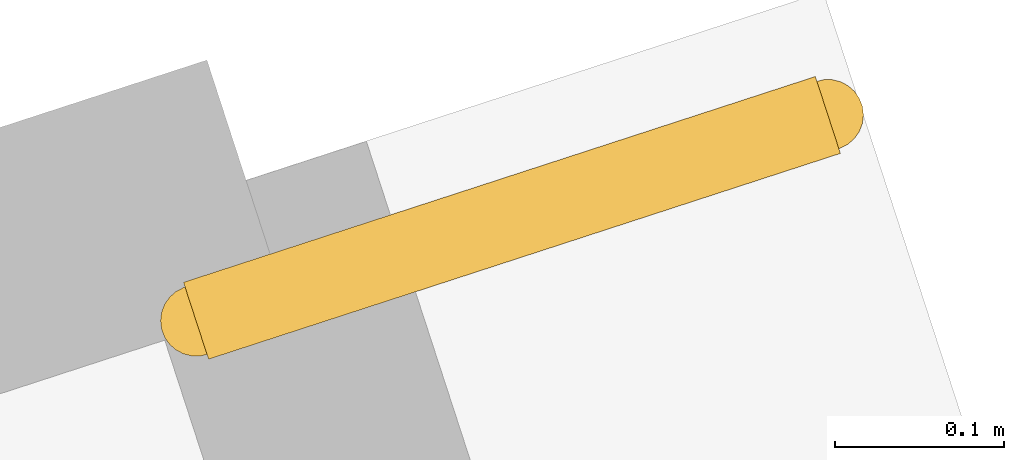
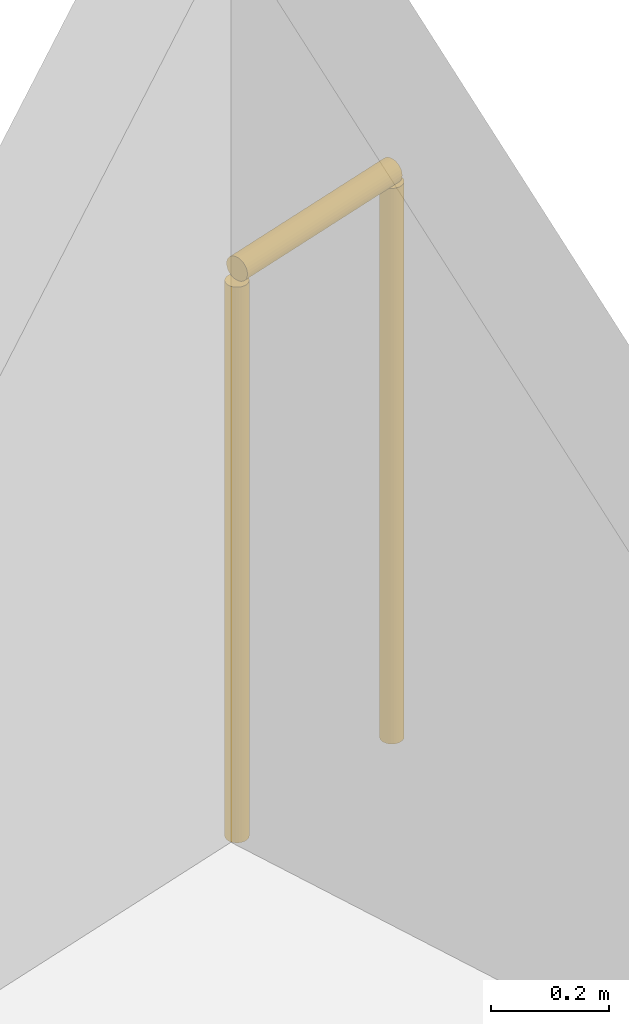
# One storey, part 16 of 16: 1 railing.
"""IFC4 building model written with IfcOpenShell, lengths in metres."""

from ifc_helpers import new_model, si_unit, direction, frame, origin, origin_2d, place, context, subcontext, project, spatial, circle, extrude, material, layer, layer_set, type_object, element, save


model = new_model("IFC4")

# Units and contexts
model_context = context("Model", 3, precision=1e-05, world=origin(), true_north=direction((0.0, 1.0)))
body_context = subcontext(model_context, "Body", "Model", "MODEL_VIEW")
ifc_project = project(units=[si_unit("LENGTHUNIT", "METRE"), si_unit("AREAUNIT", "SQUARE_METRE"), si_unit("VOLUMEUNIT", "CUBIC_METRE"), si_unit("PLANEANGLEUNIT", "RADIAN"), si_unit("MASSUNIT", "GRAM", prefix="KILO")], contexts=[model_context])

# Site, building, storey
site_placement = place(None, origin())
site = spatial("IfcSite", under=ifc_project, at=site_placement, CompositionType="ELEMENT")
building_placement = place(site_placement, origin())
building = spatial("IfcBuilding", under=site, at=building_placement, Name="Gaonmaruhae Medical Tower", CompositionType="ELEMENT")
storey_placement = place(building_placement, frame((0.0, 0.0, 100.39990234375)))
storey = spatial("IfcBuildingStorey", under=building, at=storey_placement, Name="L23", CompositionType="ELEMENT", Elevation=100.39990234375)

# Railing
ifc_material = material(Name="Stainless steel 316L and laminated safety glass", Category="steel")
ifc_layer = layer(ifc_material, 0.080078125)
ifc_layer_set = layer_set([ifc_layer], Name="Stainless steel 316L and laminated safety glass")
railing_type = type_object("IfcRailingType", Name="GD-120 Outdoor Terrace Safety Glass & Steel Balustrade", PredefinedType="BALUSTRADE", material=ifc_layer_set)
railing_placement = place(storey_placement, frame((55.99951171875, 29.60693359375, 0.0)))
element("IfcRailing", 1, at=railing_placement, inside=storey, type_object=railing_type, Name="L23 Perimeter Slab Edge Safety Balustrade 01", PredefinedType="BALUSTRADE", context=body_context, shape_type="SweptSolid", body=[
    extrude(circle(Radius=0.02392578125, at=origin_2d()), frame((0.0, 0.0, 1.17578125), z_axis=(0.9508331838, 0.309703497857, 0.0), x_axis=(-0.309703497857, 0.9508331838, 0.0)), (0.0, 0.0, 1.0), 0.393310546875),
    extrude(circle(Radius=0.02099609375, at=origin_2d()), origin(), (0.0, 0.0, 1.0), 1.15185546875),
    extrude(circle(Radius=0.02099609375, at=origin_2d()), frame((0.3740234375, 0.121826171875, 0.0)), (0.0, 0.0, 1.0), 1.15185546875),
])

save(model, "model.ifc")
